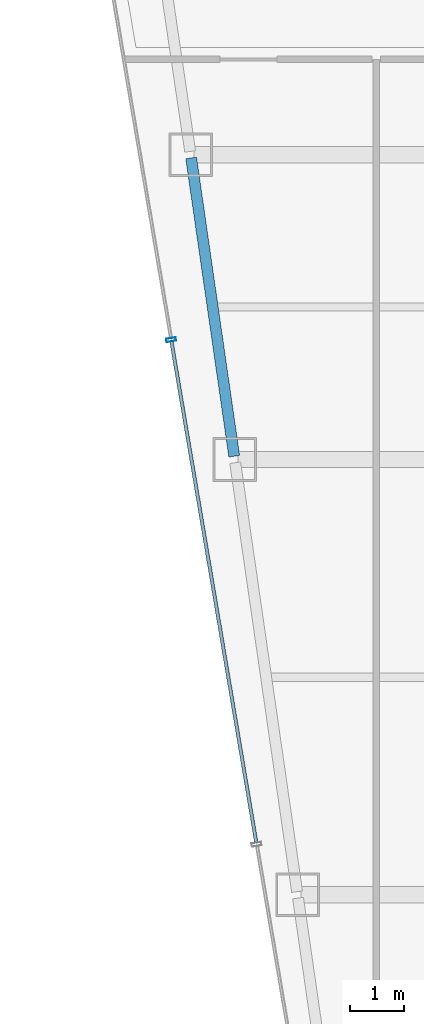
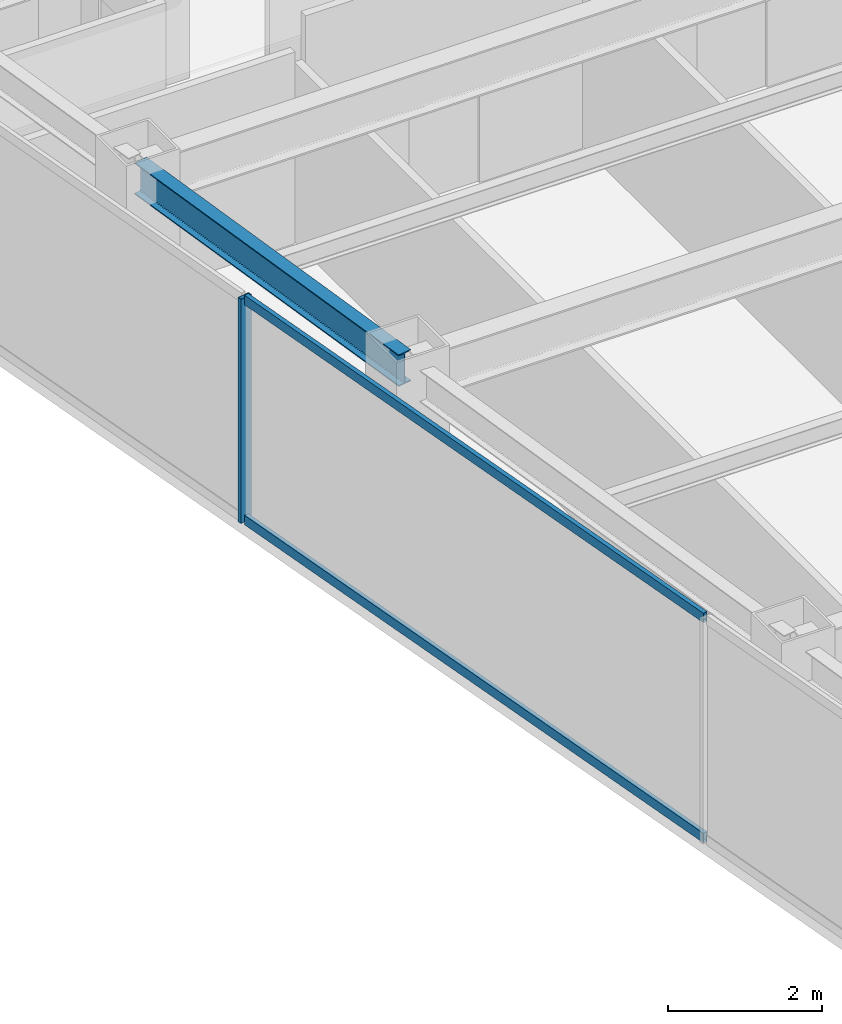
# One storey, part 9 of 36: 3 members, 1 beam, 1 element without a shape of its own.
"""IFC4 building model written with IfcOpenShell, lengths in metres."""

from ifc_helpers import new_model, si_unit, direction, frame, origin, origin_2d, place, context, subcontext, project, spatial, hollow_rectangle, i_section, extrude, material, material_profile, profile_set, type_object, element, aggregate, save


model = new_model("IFC4")

# Units and contexts
model_context = context("Model", 3, precision=1e-05, world=origin(), true_north=direction((0.0, 1.0)))
body_context = subcontext(model_context, "Body", "Model", "MODEL_VIEW")
ifc_project = project(units=[si_unit("LENGTHUNIT", "METRE"), si_unit("AREAUNIT", "SQUARE_METRE"), si_unit("VOLUMEUNIT", "CUBIC_METRE"), si_unit("PLANEANGLEUNIT", "RADIAN"), si_unit("MASSUNIT", "GRAM", prefix="KILO")], contexts=[model_context])

# Site, building, storey
site_placement = place(None, origin())
site = spatial("IfcSite", under=ifc_project, at=site_placement, CompositionType="ELEMENT")
building_placement = place(site_placement, origin())
building = spatial("IfcBuilding", under=site, at=building_placement, Name="Saevonmaru Cultural Tower", CompositionType="ELEMENT")
storey_placement = place(building_placement, frame((0.0, 0.0, 198.0)))
storey = spatial("IfcBuildingStorey", under=building, at=storey_placement, Name="L45", CompositionType="ELEMENT", Elevation=198.0)

# Beam
ifc_material_1 = material(Name="Steel SM355", Category="steel")
ifc_material_profile_1 = material_profile(ifc_material_1, i_section(OverallWidth=0.199951171875, OverallDepth=0.5, WebThickness=0.010009765625, FlangeThickness=0.01611328125, FilletRadius=0.02001953125, at=origin_2d()), Name="H-500x200x10x16")
ifc_profile_set_1 = profile_set([ifc_material_profile_1], Name="Steel SM355")
beam_type = type_object("IfcBeamType", Name="BM-SP-H500", PredefinedType="SPANDREL", material=ifc_profile_set_1)
beam_placement = place(storey_placement, frame((8.308349609375, 32.059326171875, 3.300048828125), z_axis=(-0.142964121327, 0.989727871697, 0.0), x_axis=(-0.989727871697, -0.142964121327, 0.0)))
element("IfcBeam", 1, at=beam_placement, inside=storey, type_object=beam_type, Name="L45 West Splayed Spandrel 3", PredefinedType="SPANDREL", context=body_context, shape_type="SweptSolid", body=[
    extrude(i_section(OverallWidth=0.199951171875, OverallDepth=0.5, WebThickness=0.010009765625, FlangeThickness=0.01611328125, FilletRadius=0.02001953125, at=origin_2d()), origin(), (0.0, 0.0, 1.0), 5.5380859375),
])

# Curtain wall, members
ifc_material_2 = material(Name="Satin Bronze Anodised Aluminium", Category="aluminium")
curtain_wall_type = type_object("IfcCurtainWallType", Name="CW-TYP-B", PredefinedType="NOTDEFINED", material=ifc_material_2)
curtain_wall_placement = place(storey_placement, origin())
curtain_wall = element("IfcCurtainWall", 2, at=curtain_wall_placement, inside=storey, type_object=curtain_wall_type, Name="L45 Unitised Curtain Wall E12", PredefinedType="NOTDEFINED")
ifc_material_profile_2 = material_profile(ifc_material_2, hollow_rectangle(XDim=0.06494140625, YDim=0.179931640625, WallThickness=0.00390625, at=origin_2d()), Name="ALU-MULL-180x65x4")
ifc_profile_set_2 = profile_set([ifc_material_profile_2], Name="Satin Bronze Anodised Aluminium")
member_type_1 = type_object("IfcMemberType", Name="ML-CW-180x65", PredefinedType="MULLION", material=ifc_profile_set_2)
member_1_placement = place(storey_placement, frame((7.14892578125, 34.199951171875, 0.0), z_axis=(0.0, 0.0, 1.0), x_axis=(0.16692169721, -0.985970155228, 0.0)))
member_1 = element("IfcMember", 3, at=member_1_placement, type_object=member_type_1, Name="CW-TW-L45-E12 mullion 3", PredefinedType="MULLION", context=body_context, shape_type="SweptSolid", body=[
    extrude(hollow_rectangle(XDim=0.06494140625, YDim=0.179931640625, WallThickness=0.00390625, at=origin_2d()), origin(), (0.0, 0.0, 1.0), 3.550048828125),
])
ifc_material_profile_3 = material_profile(ifc_material_2, hollow_rectangle(XDim=0.06494140625, YDim=0.14990234375, WallThickness=0.00390625, at=origin_2d()), Name="ALU-TRAN-150x65x4")
ifc_profile_set_3 = profile_set([ifc_material_profile_3], Name="Satin Bronze Anodised Aluminium")
member_type_2 = type_object("IfcMemberType", Name="TR-CW-150x65", PredefinedType="USERDEFINED", material=ifc_profile_set_3)
member_2_placement = place(storey_placement, frame((7.154296875, 34.16796875, 0.032470703125), z_axis=(0.166921263871, -0.985970228591, 0.0), x_axis=(0.985970228591, 0.166921263871, 0.0)))
member_2 = element("IfcMember", 4, at=member_2_placement, type_object=member_type_2, Name="CW-TW-L45-E12 transom 3.1", ObjectType="TRANSOM", PredefinedType="USERDEFINED", context=body_context, shape_type="SweptSolid", body=[
    extrude(hollow_rectangle(XDim=0.06494140625, YDim=0.14990234375, WallThickness=0.00390625, at=origin_2d()), origin(), (0.0, 0.0, 1.0), 9.33740234375),
])
member_3_placement = place(storey_placement, frame((7.154296875, 34.16796875, 3.517578125), z_axis=(0.166921263871, -0.985970228591, 0.0), x_axis=(0.985970228591, 0.166921263871, 0.0)))
member_3 = element("IfcMember", 5, at=member_3_placement, type_object=member_type_2, Name="CW-TW-L45-E12 transom 3.2", ObjectType="TRANSOM", PredefinedType="USERDEFINED", context=body_context, shape_type="SweptSolid", body=[
    extrude(hollow_rectangle(XDim=0.06494140625, YDim=0.14990234375, WallThickness=0.00390625, at=origin_2d()), origin(), (0.0, 0.0, 1.0), 9.33740234375),
])
aggregate(curtain_wall, [member_1, member_2, member_3])

save(model, "model.ifc")
